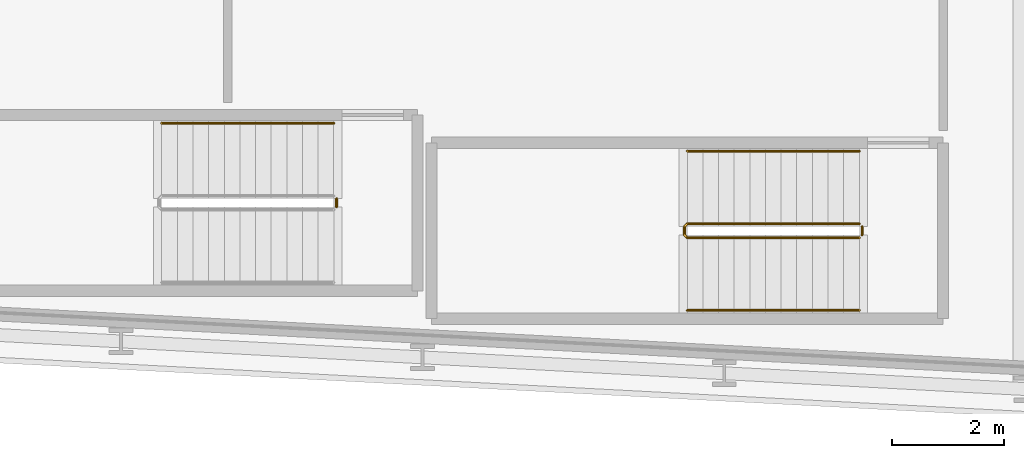
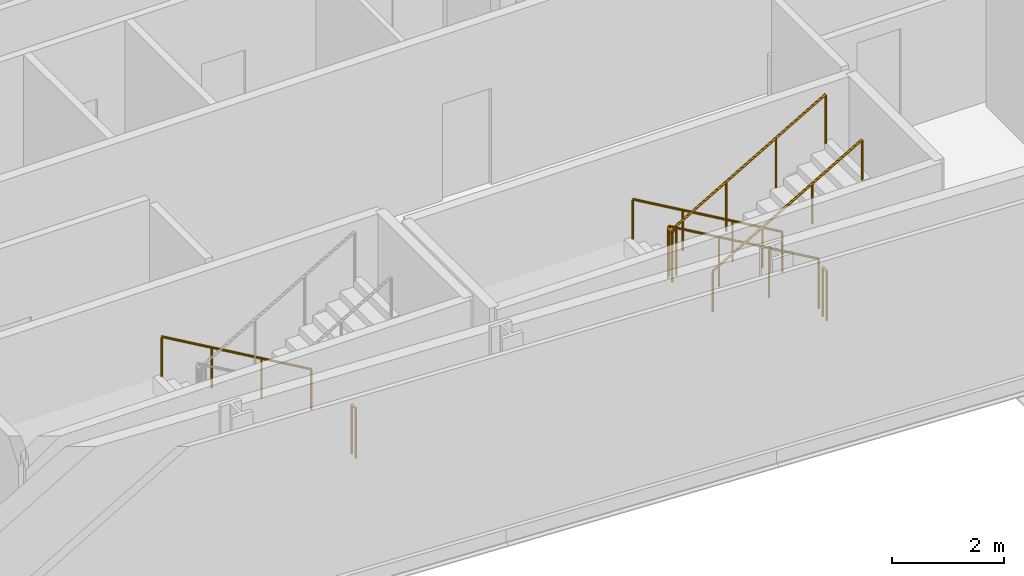
# One storey, part 26 of 29: 6 railings.
"""IFC4 building model written with IfcOpenShell, lengths in metres."""

from ifc_helpers import new_model, si_unit, direction, frame, origin, origin_2d, place, context, subcontext, project, spatial, circle, extrude, material, type_object, element, save


model = new_model("IFC4")

# Units and contexts
model_context = context("Model", 3, precision=1e-05, world=origin(), true_north=direction((0.0, 1.0)))
body_context = subcontext(model_context, "Body", "Model", "MODEL_VIEW")
ifc_project = project(units=[si_unit("LENGTHUNIT", "METRE"), si_unit("AREAUNIT", "SQUARE_METRE"), si_unit("VOLUMEUNIT", "CUBIC_METRE"), si_unit("PLANEANGLEUNIT", "RADIAN"), si_unit("MASSUNIT", "GRAM", prefix="KILO")], contexts=[model_context])

# Site, building, storey
site_placement = place(None, origin())
site = spatial("IfcSite", under=ifc_project, at=site_placement, CompositionType="ELEMENT")
building_placement = place(site_placement, origin())
building = spatial("IfcBuilding", under=site, at=building_placement, Name="Kheshtan School and Residences Tower", CompositionType="ELEMENT")
storey_placement = place(building_placement, frame((0.0, 0.0, 69.5)))
storey = spatial("IfcBuildingStorey", under=building, at=storey_placement, Name="L16", CompositionType="ELEMENT", Elevation=69.5)

# Railings
ifc_material_1 = material(Name="Stainless steel balustrade", Category="steel")
railing_type_1 = type_object("IfcRailingType", Name="Stair guard 1100", PredefinedType="GUARDRAIL", material=ifc_material_1)
railing_1_placement = place(storey_placement, frame((87.820068359375, 23.949951171875, 0.16259765625)))
element("IfcRailing", 1, at=railing_1_placement, inside=storey, type_object=railing_type_1, Name="L16 ST4 stair guard 1", PredefinedType="GUARDRAIL", context=body_context, shape_type="SweptSolid", body=[
    extrude(circle(Radius=0.02392578125, at=origin_2d()), frame((0.0, 0.0, 1.076171875), z_axis=(-0.864920483161, 0.0, 0.501908913857), x_axis=(0.0, -1.0, 0.0)), (0.0, 0.0, 1.0), 3.56103515625),
    extrude(circle(Radius=0.02392578125, at=origin_2d()), frame((-3.080078125, 0.0, 2.86328125), z_axis=(-0.707106781187, -0.707106781187, 0.0), x_axis=(0.707106781187, -0.707106781187, 0.0)), (0.0, 0.0, 1.0), 0.07080078125),
    extrude(circle(Radius=0.02392578125, at=origin_2d()), frame((-3.130126953125, -0.050048828125, 2.86328125), z_axis=(0.0, -1.0, 0.0), x_axis=(1.0, 0.0, 0.0)), (0.0, 0.0, 1.0), 0.14990234375),
    extrude(circle(Radius=0.02392578125, at=origin_2d()), frame((-3.130126953125, -0.199951171875, 2.86328125), z_axis=(0.282227285176, -0.282227285176, 0.916894497205), x_axis=(0.707106781187, 0.707106781187, 0.0)), (0.0, 0.0, 1.0), 0.17724609375),
    extrude(circle(Radius=0.02392578125, at=origin_2d()), frame((-3.080078125, -0.25, 3.02587890625), z_axis=(0.864920483161, 0.0, 0.501908913857), x_axis=(0.0, 1.0, 0.0)), (0.0, 0.0, 1.0), 3.56103515625),
    extrude(circle(Radius=0.02099609375, at=origin_2d()), origin(), (0.0, 0.0, 1.0), 1.052001953125),
    extrude(circle(Radius=0.02099609375, at=origin_2d()), frame((-1.026611328125, 0.0, 0.595703125)), (0.0, 0.0, 1.0), 1.052001953125),
    extrude(circle(Radius=0.02099609375, at=origin_2d()), frame((-2.053466796875, 0.0, 1.191650390625)), (0.0, 0.0, 1.0), 1.052001953125),
    extrude(circle(Radius=0.02099609375, at=origin_2d()), frame((-3.080078125, 0.0, 1.787353515625)), (0.0, 0.0, 1.0), 1.052001953125),
    extrude(circle(Radius=0.02099609375, at=origin_2d()), frame((-3.130126953125, -0.050048828125, 1.787353515625)), (0.0, 0.0, 1.0), 1.052001953125),
    extrude(circle(Radius=0.02099609375, at=origin_2d()), frame((-3.130126953125, -0.199951171875, 1.787353515625)), (0.0, 0.0, 1.0), 1.052001953125),
    extrude(circle(Radius=0.02099609375, at=origin_2d()), frame((-3.080078125, -0.25, 1.949951171875)), (0.0, 0.0, 1.0), 1.052001953125),
    extrude(circle(Radius=0.02099609375, at=origin_2d()), frame((-2.053466796875, -0.25, 2.545654296875)), (0.0, 0.0, 1.0), 1.052001953125),
    extrude(circle(Radius=0.02099609375, at=origin_2d()), frame((-1.026611328125, -0.25, 3.1416015625)), (0.0, 0.0, 1.0), 1.052001953125),
    extrude(circle(Radius=0.02099609375, at=origin_2d()), frame((0.0, -0.25, 3.7373046875)), (0.0, 0.0, 1.0), 1.052001953125),
])
for number, where, name in (
    (2, (87.8701171875, 23.89990234375, 0.0), "L16 ST4 stair guard 2"),
    (3, (78.4599609375, 24.39990234375, 0.0), "L16 ST5 stair guard 2"),
):
    element("IfcRailing", number, at=place(storey_placement, frame(where)), inside=storey, type_object=railing_type_1, Name=name, PredefinedType="GUARDRAIL", context=body_context, shape_type="SweptSolid", body=[
        extrude(circle(Radius=0.02392578125, at=origin_2d()), frame((0.0, 0.0, 1.076171875), z_axis=(0.0, -1.0, 0.0), x_axis=(1.0, 0.0, 0.0)), (0.0, 0.0, 1.0), 0.14990234375),
        extrude(circle(Radius=0.02099609375, at=origin_2d()), origin(), (0.0, 0.0, 1.0), 1.052001953125),
        extrude(circle(Radius=0.02099609375, at=origin_2d()), frame((0.0, -0.14990234375, 0.0)), (0.0, 0.0, 1.0), 1.052001953125),
    ])
ifc_material_2 = material(Name="Stainless steel handrail", Category="steel")
railing_type_2 = type_object("IfcRailingType", Name="Stair handrail 900", PredefinedType="HANDRAIL", material=ifc_material_2)
railing_2_placement = place(storey_placement, frame((87.820068359375, 25.25, 0.16259765625)))
element("IfcRailing", 4, at=railing_2_placement, inside=storey, type_object=railing_type_2, Name="L16 ST4 stair handrail 1", PredefinedType="HANDRAIL", context=body_context, shape_type="SweptSolid", body=[
    extrude(circle(Radius=0.02392578125, at=origin_2d()), frame((0.0, 0.0, 0.8759765625), z_axis=(-0.864920483161, 0.0, 0.501908913857), x_axis=(0.0, -1.0, 0.0)), (0.0, 0.0, 1.0), 3.56103515625),
    extrude(circle(Radius=0.02099609375, at=origin_2d()), origin(), (0.0, 0.0, 1.0), 0.851806640625),
    extrude(circle(Radius=0.02099609375, at=origin_2d()), frame((-1.026611328125, 0.0, 0.595703125)), (0.0, 0.0, 1.0), 0.851806640625),
    extrude(circle(Radius=0.02099609375, at=origin_2d()), frame((-2.053466796875, 0.0, 1.191650390625)), (0.0, 0.0, 1.0), 0.851806640625),
    extrude(circle(Radius=0.02099609375, at=origin_2d()), frame((-3.080078125, 0.0, 1.787353515625)), (0.0, 0.0, 1.0), 0.851806640625),
])
railing_3_placement = place(storey_placement, frame((84.739990234375, 22.39990234375, 2.112548828125)))
element("IfcRailing", 5, at=railing_3_placement, inside=storey, type_object=railing_type_2, Name="L16 ST4 stair handrail 2", PredefinedType="HANDRAIL", context=body_context, shape_type="SweptSolid", body=[
    extrude(circle(Radius=0.02392578125, at=origin_2d()), frame((0.0, 0.0, 0.8759765625), z_axis=(0.864920483161, 0.0, 0.501908913857), x_axis=(0.0, 1.0, 0.0)), (0.0, 0.0, 1.0), 3.56103515625),
    extrude(circle(Radius=0.02099609375, at=origin_2d()), origin(), (0.0, 0.0, 1.0), 0.851806640625),
    extrude(circle(Radius=0.02099609375, at=origin_2d()), frame((1.026611328125, 0.0, 0.595703125)), (0.0, 0.0, 1.0), 0.851806640625),
    extrude(circle(Radius=0.02099609375, at=origin_2d()), frame((2.053466796875, 0.0, 1.191650390625)), (0.0, 0.0, 1.0), 0.851806640625),
    extrude(circle(Radius=0.02099609375, at=origin_2d()), frame((3.080078125, 0.0, 1.787353515625)), (0.0, 0.0, 1.0), 0.851806640625),
])
railing_4_placement = place(storey_placement, frame((78.409912109375, 25.75, 0.16259765625)))
element("IfcRailing", 6, at=railing_4_placement, inside=storey, type_object=railing_type_2, Name="L16 ST5 stair handrail 1", PredefinedType="HANDRAIL", context=body_context, shape_type="SweptSolid", body=[
    extrude(circle(Radius=0.02392578125, at=origin_2d()), frame((0.0, 0.0, 0.8759765625), z_axis=(-0.864903211148, 0.0, 0.501938676878), x_axis=(0.0, -1.0, 0.0)), (0.0, 0.0, 1.0), 3.560791015625),
    extrude(circle(Radius=0.02099609375, at=origin_2d()), origin(), (0.0, 0.0, 1.0), 0.851806640625),
    extrude(circle(Radius=0.02099609375, at=origin_2d()), frame((-1.026611328125, 0.0, 0.595703125)), (0.0, 0.0, 1.0), 0.851806640625),
    extrude(circle(Radius=0.02099609375, at=origin_2d()), frame((-2.05322265625, 0.0, 1.191650390625)), (0.0, 0.0, 1.0), 0.851806640625),
    extrude(circle(Radius=0.02099609375, at=origin_2d()), frame((-3.079833984375, 0.0, 1.787353515625)), (0.0, 0.0, 1.0), 0.851806640625),
])

save(model, "model.ifc")
